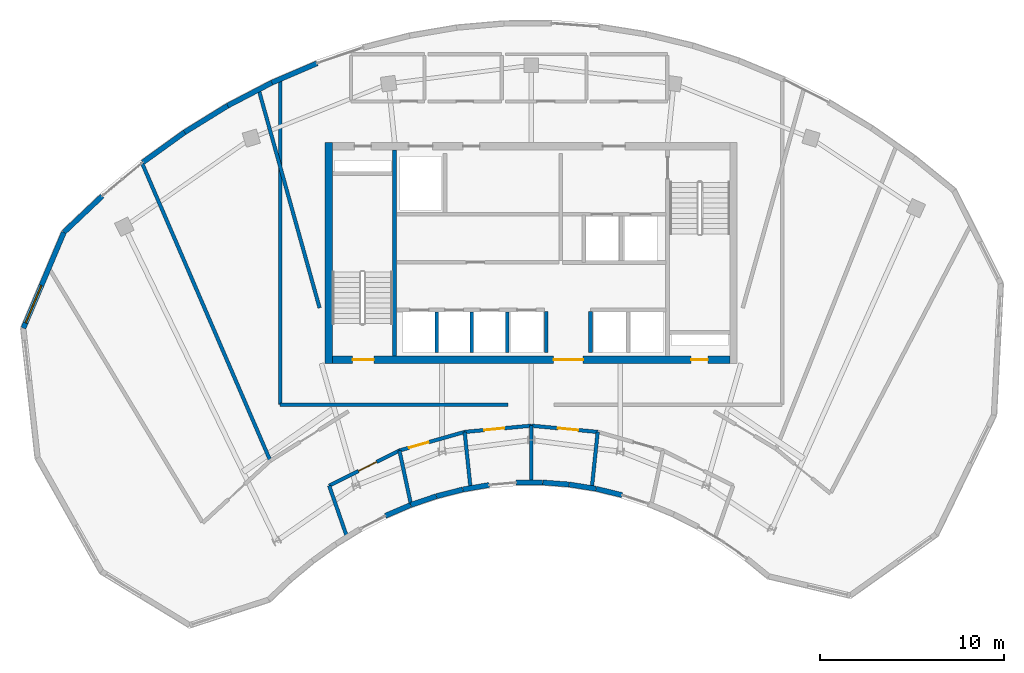
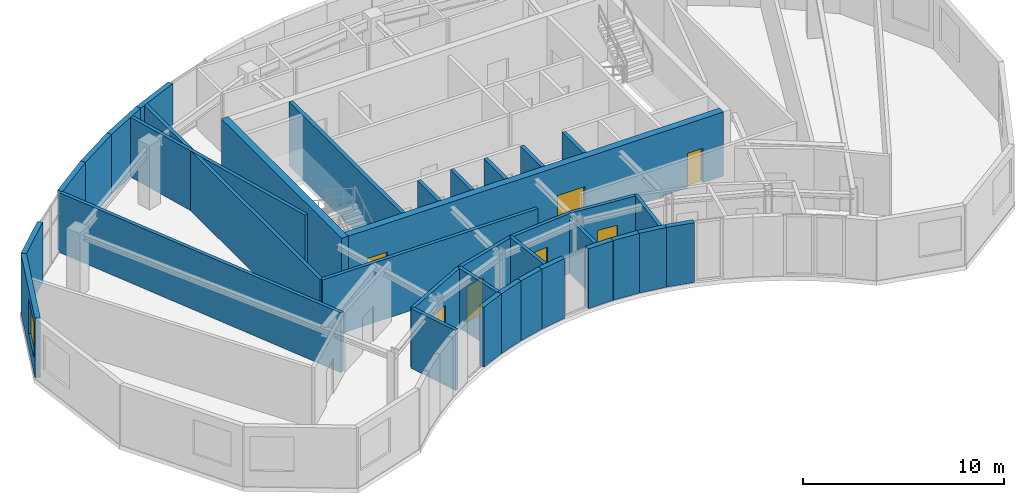
# One storey, part 5 of 9: 35 walls, 7 doors, 1 window, 8 openings.
"""IFC4 building model written with IfcOpenShell, lengths in metres."""

from ifc_helpers import new_model, si_unit, direction, frame, frame_2d, origin, place, context, subcontext, project, spatial, rectangle, extrude, source, transform, mapped, material, layer, layer_set, type_object, type_shapes, element, fill, save


model = new_model("IFC4")

# Units and contexts
model_context = context("Model", 3, precision=1e-05, world=origin(), true_north=direction((0.0, 1.0)))
body_context = subcontext(model_context, "Body", "Model", "MODEL_VIEW")
ifc_project = project(units=[si_unit("LENGTHUNIT", "METRE"), si_unit("AREAUNIT", "SQUARE_METRE"), si_unit("VOLUMEUNIT", "CUBIC_METRE"), si_unit("PLANEANGLEUNIT", "RADIAN"), si_unit("MASSUNIT", "GRAM", prefix="KILO")], contexts=[model_context])

# Site, building, storey
site_placement = place(None, origin())
site = spatial("IfcSite", under=ifc_project, at=site_placement, CompositionType="ELEMENT")
building_placement = place(site_placement, origin())
building = spatial("IfcBuilding", under=site, at=building_placement, Name="Breltana Convention Tower", CompositionType="ELEMENT")
storey_placement = place(building_placement, frame((0.0, 0.0, 287.39990234375)))
storey = spatial("IfcBuildingStorey", under=building, at=storey_placement, Name="L70", CompositionType="ELEMENT", Elevation=287.39990234375)

# Wall
ifc_material_1 = material(Name="Concrete C50/60", Category="concrete")
ifc_layer_1 = layer(ifc_material_1, 0.39990234375, Name="Concrete C50/60")
ifc_layer_set_1 = layer_set([ifc_layer_1], Name="Concrete C50/60")
wall_type_1 = type_object("IfcWallType", Name="SW-CORE-400", PredefinedType="SHEAR", material=ifc_layer_set_1)
shared_shape_1 = source(origin(), body_context, "Body", "SweptSolid", [
    extrude(rectangle(XDim=12.0, YDim=0.39990234375, at=frame_2d((6.0, 0.0))), origin(), (0.0, 0.0, 1.0), 3.900146484375),
])
wall_1_placement = place(storey_placement, frame((37.0, 60.199951171875, 0.0), z_axis=(0.0, 0.0, 1.0), x_axis=(0.0, 1.0, 0.0)))
element("IfcWall", 1, at=wall_1_placement, inside=storey, type_object=wall_type_1, Name="L70 West Core Shear Wall", PredefinedType="SHEAR", context=body_context, shape_type="MappedRepresentation", body=[
    mapped(shared_shape_1, transform((0.0, 0.0, 0.0), scale=1.0)),
])

# Wall, openings, doors
shared_shape_2 = source(origin(), body_context, "Body", "SweptSolid", [
    extrude(rectangle(XDim=21.60009765625, YDim=0.39990234375, at=frame_2d((10.800048828125, 0.0))), origin(), (0.0, 0.0, 1.0), 3.900146484375),
])
wall_2_placement = place(storey_placement, frame((37.199951171875, 60.39990234375, 0.0), z_axis=(0.0, 0.0, 1.0), x_axis=(1.0, 0.0, 0.0)))
wall_2 = element("IfcWall", 2, at=wall_2_placement, inside=storey, type_object=wall_type_1, Name="L70 South Core Shear Wall", PredefinedType="SHEAR", context=body_context, shape_type="MappedRepresentation", body=[
    mapped(shared_shape_2, transform((0.0, 0.0, 0.0), scale=1.0)),
])
opening_1_placement = place(wall_2_placement, frame((1.10009765625, 0.0, 0.0)))
opening_1 = element("IfcOpeningElement", 3, at=opening_1_placement, cuts=wall_2, Name="Opening D-11", PredefinedType="OPENING", context=body_context, shape_type="SweptSolid", body=[
    extrude(rectangle(XDim=1.14990234375, YDim=2.14990234375, at=frame_2d((0.574951171875, 1.074951171875))), frame((0.0, 0.2099609375, 0.0), z_axis=(0.0, -1.0, 0.0), x_axis=(1.0, 0.0, 0.0)), (0.0, 0.0, 1.0), 0.419921875),
])
opening_2_placement = place(wall_2_placement, frame((19.5, 0.0, 0.0)))
opening_2 = element("IfcOpeningElement", 4, at=opening_2_placement, cuts=wall_2, Name="Opening D-18", PredefinedType="OPENING", context=body_context, shape_type="SweptSolid", body=[
    extrude(rectangle(XDim=0.89990234375, YDim=2.10009765625, at=frame_2d((0.449951171875, 1.050048828125))), frame((0.0, 0.2099609375, 0.0), z_axis=(0.0, -1.0, 0.0), x_axis=(1.0, 0.0, 0.0)), (0.0, 0.0, 1.0), 0.419921875),
])
opening_3_placement = place(wall_2_placement, frame((12.02001953125, 0.0, 0.0)))
opening_3 = element("IfcOpeningElement", 5, at=opening_3_placement, cuts=wall_2, Name="Opening D-02", PredefinedType="OPENING", context=body_context, shape_type="SweptSolid", body=[
    extrude(rectangle(XDim=1.60009765625, YDim=2.14990234375, at=frame_2d((0.800048828125, 1.074951171875))), frame((0.0, 0.2099609375, 0.0), z_axis=(0.0, -1.0, 0.0), x_axis=(1.0, 0.0, 0.0)), (0.0, 0.0, 1.0), 0.419921875),
])
ifc_material_2 = material(Name="Steel Stair Exit Door", Category="steel")
door_type_1 = type_object("IfcDoorType", Name="DR-FD120-1150", OperationType="NOTDEFINED", PredefinedType="DOOR", material=ifc_material_2)
shared_shape_3 = source(origin(), body_context, "Body", "SweptSolid", [
    extrude(rectangle(XDim=1.14990234375, YDim=2.14990234375, at=frame_2d((0.574951171875, 1.074951171875))), frame((0.0, 0.02490234375, 0.0), z_axis=(0.0, -1.0, 0.0), x_axis=(1.0, 0.0, 0.0)), (0.0, 0.0, 1.0), 0.050048828125),
])
type_shapes(door_type_1, [shared_shape_3])
door_1_placement = place(opening_1_placement, origin())
door_1 = element("IfcDoor", 6, at=door_1_placement, inside=storey, type_object=door_type_1, Name="L70 interior door D-L70-ST1", OperationType="SINGLE_SWING_LEFT", OverallHeight=2.14990234375, OverallWidth=1.14990234375, PredefinedType="DOOR", context=body_context, shape_type="MappedRepresentation", body=[
    mapped(shared_shape_3, transform((0.0, 0.0, 0.0), scale=1.0)),
])
fill(opening_1, door_1)
ifc_material_3 = material(Name="Steel Riser Fire Door", Category="steel")
door_type_2 = type_object("IfcDoorType", Name="DR-FD60-900", OperationType="NOTDEFINED", PredefinedType="DOOR", material=ifc_material_3)
shared_shape_4 = source(origin(), body_context, "Body", "SweptSolid", [
    extrude(rectangle(XDim=0.89990234375, YDim=2.10009765625, at=frame_2d((0.449951171875, 1.050048828125))), frame((0.0, 0.02490234375, 0.0), z_axis=(0.0, -1.0, 0.0), x_axis=(1.0, 0.0, 0.0)), (0.0, 0.0, 1.0), 0.050048828125),
])
type_shapes(door_type_2, [shared_shape_4])
door_2_placement = place(opening_2_placement, origin())
door_2 = element("IfcDoor", 7, at=door_2_placement, inside=storey, type_object=door_type_2, Name="L70 Core Riser Access Door D-L70-RS2", OperationType="SINGLE_SWING_RIGHT", OverallHeight=2.10009765625, OverallWidth=0.89990234375, PredefinedType="DOOR", context=body_context, shape_type="MappedRepresentation", body=[
    mapped(shared_shape_4, transform((0.0, 0.0, 0.0), scale=1.0)),
])
fill(opening_2, door_2)
ifc_material_4 = material(Name="Steel Glazed Smoke-Control Door", Category="steel")
door_type_3 = type_object("IfcDoorType", Name="DR-DBL-FD90-1600", OperationType="DOUBLE_DOOR_SINGLE_SWING", PredefinedType="DOOR", material=ifc_material_4)
shared_shape_5 = source(origin(), body_context, "Body", "SweptSolid", [
    extrude(rectangle(XDim=1.60009765625, YDim=2.14990234375, at=frame_2d((0.800048828125, 1.074951171875))), frame((0.0, 0.02490234375, 0.0), z_axis=(0.0, -1.0, 0.0), x_axis=(1.0, 0.0, 0.0)), (0.0, 0.0, 1.0), 0.050048828125),
])
type_shapes(door_type_3, [shared_shape_5])
door_3_placement = place(opening_3_placement, origin())
door_3 = element("IfcDoor", 8, at=door_3_placement, inside=storey, type_object=door_type_3, Name="L70 interior door D-L70-LLB-S", OperationType="DOUBLE_DOOR_SINGLE_SWING", OverallHeight=2.14990234375, OverallWidth=1.60009765625, PredefinedType="DOOR", context=body_context, shape_type="MappedRepresentation", body=[
    mapped(shared_shape_5, transform((0.0, 0.0, 0.0), scale=1.0)),
])
fill(opening_3, door_3)

# Walls
shared_shape_6 = source(origin(), body_context, "Body", "SweptSolid", [
    extrude(rectangle(XDim=11.199951171875, YDim=0.219970703125, at=frame_2d((5.60009765625, 0.0))), origin(), (0.0, 0.0, 1.0), 3.900146484375),
])
wall_3_placement = place(storey_placement, frame((40.580078125, 60.60009765625, 0.0), z_axis=(0.0, 0.0, 1.0), x_axis=(0.0, 1.0, 0.0)))
element("IfcWall", 9, at=wall_3_placement, inside=storey, type_object=wall_type_1, Name="L70 Core West Stair Spine Wall", PredefinedType="SHEAR", context=body_context, shape_type="MappedRepresentation", body=[
    mapped(shared_shape_6, transform((0.0, 0.0, 0.0), scale=1.0)),
])
ifc_material_5 = material(Name="Limestone Buff Insulated Wall", Category="masonry")
ifc_layer_2 = layer(ifc_material_5, 0.280029296875, Name="Limestone Buff Insulated Wall")
ifc_layer_set_2 = layer_set([ifc_layer_2], Name="Limestone Buff Insulated Wall")
wall_type_2 = type_object("IfcWallType", Name="WL-EXT-NOSE-280", PredefinedType="SOLIDWALL", material=ifc_layer_set_2)
shared_shape_7 = source(origin(), body_context, "Body", "SweptSolid", [
    extrude(rectangle(XDim=1.446044921875, YDim=0.280029296875, at=frame_2d((0.72314453125, 0.0))), origin(), (0.0, 0.0, 1.0), 3.64013671875),
])
wall_4_placement = place(storey_placement, frame((51.509033203125, 53.38818359375, 0.0), z_axis=(0.0, 0.0, 1.0), x_axis=(-0.987650460941, 0.156673440642, 0.0)))
element("IfcWall", 10, at=wall_4_placement, inside=storey, type_object=wall_type_2, Name="L70 curved limestone nose wall E10", PredefinedType="SOLIDWALL", context=body_context, shape_type="MappedRepresentation", body=[
    mapped(shared_shape_7, transform((0.0, 0.0, 0.0), scale=1.0)),
])
shared_shape_8 = source(origin(), body_context, "Body", "SweptSolid", [
    extrude(rectangle(XDim=1.440185546875, YDim=0.280029296875, at=frame_2d((0.72021484375, 0.0))), origin(), (0.0, 0.0, 1.0), 3.64013671875),
])
wall_5_placement = place(storey_placement, frame((50.066162109375, 53.616455078125, 0.0), z_axis=(0.0, 0.0, 1.0), x_axis=(-0.997124860794, 0.075776064736, 0.0)))
element("IfcWall", 11, at=wall_5_placement, inside=storey, type_object=wall_type_2, Name="L70 curved limestone nose wall E11", PredefinedType="SOLIDWALL", context=body_context, shape_type="MappedRepresentation", body=[
    mapped(shared_shape_8, transform((0.0, 0.0, 0.0), scale=1.0)),
])
shared_shape_9 = source(origin(), body_context, "Body", "SweptSolid", [
    extrude(rectangle(XDim=1.4384765625, YDim=0.280029296875, at=frame_2d((0.71923828125, 0.0))), origin(), (0.0, 0.0, 1.0), 3.64013671875),
])
wall_6_placement = place(storey_placement, frame((48.615478515625, 53.726318359375, 0.0), z_axis=(0.0, 0.0, 1.0), x_axis=(-0.999982357135, -0.005940153174, 0.0)))
element("IfcWall", 12, at=wall_6_placement, inside=storey, type_object=wall_type_2, Name="L70 curved limestone nose wall E12", PredefinedType="SOLIDWALL", context=body_context, shape_type="MappedRepresentation", body=[
    mapped(shared_shape_9, transform((0.0, 0.0, 0.0), scale=1.0)),
])
shared_shape_10 = source(origin(), body_context, "Body", "SweptSolid", [
    extrude(rectangle(XDim=1.4580078125, YDim=0.280029296875, at=frame_2d((0.72900390625, 0.0))), origin(), (0.0, 0.0, 1.0), 3.64013671875),
])
wall_7_placement = place(storey_placement, frame((44.271484375, 53.343017578125, 0.0), z_axis=(0.0, 0.0, 1.0), x_axis=(-0.969109544438, -0.246630677083, 0.0)))
element("IfcWall", 13, at=wall_7_placement, inside=storey, type_object=wall_type_2, Name="L70 curved limestone nose wall E14", PredefinedType="SOLIDWALL", context=body_context, shape_type="MappedRepresentation", body=[
    mapped(shared_shape_10, transform((0.0, 0.0, 0.0), scale=1.0)),
])
shared_shape_11 = source(origin(), body_context, "Body", "SweptSolid", [
    extrude(rectangle(XDim=1.47265625, YDim=0.280029296875, at=frame_2d((0.736328125, 0.0))), origin(), (0.0, 0.0, 1.0), 3.64013671875),
])
wall_8_placement = place(storey_placement, frame((42.8447265625, 52.9794921875, 0.0), z_axis=(0.0, 0.0, 1.0), x_axis=(-0.946641296917, -0.322289086026, 0.0)))
element("IfcWall", 14, at=wall_8_placement, inside=storey, type_object=wall_type_2, Name="L70 curved limestone nose wall E15", PredefinedType="SOLIDWALL", context=body_context, shape_type="MappedRepresentation", body=[
    mapped(shared_shape_11, transform((0.0, 0.0, 0.0), scale=1.0)),
])
shared_shape_12 = source(origin(), body_context, "Body", "SweptSolid", [
    extrude(rectangle(XDim=1.490478515625, YDim=0.280029296875, at=frame_2d((0.7451171875, 0.0))), origin(), (0.0, 0.0, 1.0), 3.64013671875),
])
wall_9_placement = place(storey_placement, frame((41.437744140625, 52.5, 0.0), z_axis=(0.0, 0.0, 1.0), x_axis=(-0.919009427656, -0.394235553799, 0.0)))
element("IfcWall", 15, at=wall_9_placement, inside=storey, type_object=wall_type_2, Name="L70 curved limestone nose wall E16", PredefinedType="SOLIDWALL", context=body_context, shape_type="MappedRepresentation", body=[
    mapped(shared_shape_12, transform((0.0, 0.0, 0.0), scale=1.0)),
])

# Wall, opening, window
shared_shape_13 = source(origin(), body_context, "Body", "SweptSolid", [
    extrude(rectangle(XDim=5.655029296875, YDim=0.280029296875, at=frame_2d((2.82763671875, 0.0))), origin(), (0.0, 0.0, 1.0), 3.64013671875),
])
wall_10_placement = place(storey_placement, frame((20.40087890625, 62.11572265625, 0.0), z_axis=(0.0, 0.0, 1.0), x_axis=(0.389585063528, 0.920990487614, 0.0)))
wall_10 = element("IfcWall", 16, at=wall_10_placement, inside=storey, type_object=wall_type_2, Name="L70 curved limestone nose wall W6", PredefinedType="SOLIDWALL", context=body_context, shape_type="MappedRepresentation", body=[
    mapped(shared_shape_13, transform((0.0, 0.0, 0.0), scale=1.0)),
])
opening_4_placement = place(wall_10_placement, frame((0.313720703125, 0.0, 0.949951171875)))
opening_4 = element("IfcOpeningElement", 17, at=opening_4_placement, cuts=wall_10, Name="Opening W-03", PredefinedType="OPENING", context=body_context, shape_type="SweptSolid", body=[
    extrude(rectangle(XDim=2.199951171875, YDim=2.10009765625, at=frame_2d((1.10009765625, 1.050048828125))), frame((0.0, 0.14990234375, 0.0), z_axis=(0.0, -1.0, 0.0), x_axis=(1.0, 0.0, 0.0)), (0.0, 0.0, 1.0), 0.300048828125),
])
ifc_material_6 = material(Name="Glass Low-E Insulated Window", Category="glass")
window_type = type_object("IfcWindowType", Name="WN-NOSE-2200X2100", PartitioningType="TRIPLE_PANEL_VERTICAL", PredefinedType="WINDOW", material=ifc_material_6)
shared_shape_14 = source(origin(), body_context, "Body", "SweptSolid", [
    extrude(rectangle(XDim=2.199951171875, YDim=2.10009765625, at=frame_2d((1.10009765625, 1.050048828125))), frame((0.0, 0.030029296875, 0.0), z_axis=(0.0, -1.0, 0.0), x_axis=(1.0, 0.0, 0.0)), (0.0, 0.0, 1.0), 0.06005859375),
])
type_shapes(window_type, [shared_shape_14])
window_placement = place(opening_4_placement, origin())
window = element("IfcWindow", 18, at=window_placement, inside=storey, type_object=window_type, Name="L70 nose window W6", OverallHeight=2.10009765625, OverallWidth=2.199951171875, PartitioningType="TRIPLE_PANEL_VERTICAL", PredefinedType="WINDOW", context=body_context, shape_type="MappedRepresentation", body=[
    mapped(shared_shape_14, transform((0.0, 0.0, 0.0), scale=1.0)),
])
fill(opening_4, window)

# Walls
shared_shape_15 = source(origin(), body_context, "Body", "SweptSolid", [
    extrude(rectangle(XDim=2.87255859375, YDim=0.280029296875, at=frame_2d((1.436279296875, 0.0))), origin(), (0.0, 0.0, 1.0), 3.64013671875),
])
wall_11_placement = place(storey_placement, frame((22.60400390625, 67.323974609375, 0.0), z_axis=(0.0, 0.0, 1.0), x_axis=(0.72609560544, 0.687593754888, 0.0)))
element("IfcWall", 19, at=wall_11_placement, inside=storey, type_object=wall_type_2, Name="L70 curved limestone nose wall W7", PredefinedType="SOLIDWALL", context=body_context, shape_type="MappedRepresentation", body=[
    mapped(shared_shape_15, transform((0.0, 0.0, 0.0), scale=1.0)),
])
shared_shape_16 = source(origin(), body_context, "Body", "SweptSolid", [
    extrude(rectangle(XDim=2.8017578125, YDim=0.280029296875, at=frame_2d((1.40087890625, 0.0))), origin(), (0.0, 0.0, 1.0), 3.64013671875),
])
wall_12_placement = place(storey_placement, frame((26.88525390625, 71.11962890625, 0.0), z_axis=(0.0, 0.0, 1.0), x_axis=(0.811507896482, 0.584341453217, 0.0)))
element("IfcWall", 20, at=wall_12_placement, inside=storey, type_object=wall_type_2, Name="L70 curved limestone nose wall E20", PredefinedType="SOLIDWALL", context=body_context, shape_type="MappedRepresentation", body=[
    mapped(shared_shape_16, transform((0.0, 0.0, 0.0), scale=1.0)),
])
shared_shape_17 = source(origin(), body_context, "Body", "SweptSolid", [
    extrude(rectangle(XDim=2.754638671875, YDim=0.280029296875, at=frame_2d((1.37744140625, 0.0))), origin(), (0.0, 0.0, 1.0), 3.64013671875),
])
wall_13_placement = place(storey_placement, frame((29.158935546875, 72.7568359375, 0.0), z_axis=(0.0, 0.0, 1.0), x_axis=(0.850750210743, 0.525570241661, 0.0)))
element("IfcWall", 21, at=wall_13_placement, inside=storey, type_object=wall_type_2, Name="L70 curved limestone nose wall E21", PredefinedType="SOLIDWALL", context=body_context, shape_type="MappedRepresentation", body=[
    mapped(shared_shape_17, transform((0.0, 0.0, 0.0), scale=1.0)),
])
shared_shape_18 = source(origin(), body_context, "Body", "SweptSolid", [
    extrude(rectangle(XDim=2.71142578125, YDim=0.280029296875, at=frame_2d((1.355712890625, 0.0))), origin(), (0.0, 0.0, 1.0), 3.64013671875),
])
wall_14_placement = place(storey_placement, frame((31.50244140625, 74.20458984375, 0.0), z_axis=(0.0, 0.0, 1.0), x_axis=(0.886828760751, 0.462098202881, 0.0)))
element("IfcWall", 22, at=wall_14_placement, inside=storey, type_object=wall_type_2, Name="L70 curved limestone nose wall E22", PredefinedType="SOLIDWALL", context=body_context, shape_type="MappedRepresentation", body=[
    mapped(shared_shape_18, transform((0.0, 0.0, 0.0), scale=1.0)),
])
shared_shape_19 = source(origin(), body_context, "Body", "SweptSolid", [
    extrude(rectangle(XDim=1.45654296875, YDim=0.280029296875, at=frame_2d((0.728271484375, 0.0))), origin(), (0.0, 0.0, 1.0), 3.64013671875),
])
wall_15_placement = place(storey_placement, frame((52.938720703125, 53.042236328125, 0.0), z_axis=(0.0, 0.0, 1.0), x_axis=(-0.97187219902, 0.23550887196, 0.0)))
element("IfcWall", 23, at=wall_15_placement, inside=storey, type_object=wall_type_2, Name="L70 curved limestone nose wall E9", PredefinedType="SOLIDWALL", context=body_context, shape_type="MappedRepresentation", body=[
    mapped(shared_shape_19, transform((0.0, 0.0, 0.0), scale=1.0)),
])
shared_shape_20 = source(origin(), body_context, "Body", "SweptSolid", [
    extrude(rectangle(XDim=1.447265625, YDim=0.280029296875, at=frame_2d((0.7236328125, 0.0))), origin(), (0.0, 0.0, 1.0), 3.64013671875),
])
wall_16_placement = place(storey_placement, frame((45.712646484375, 53.589111328125, 0.0), z_axis=(0.0, 0.0, 1.0), x_axis=(-0.985785525921, -0.168008621461, 0.0)))
element("IfcWall", 24, at=wall_16_placement, inside=storey, type_object=wall_type_2, Name="L70 curved limestone nose wall E13", PredefinedType="SOLIDWALL", context=body_context, shape_type="MappedRepresentation", body=[
    mapped(shared_shape_20, transform((0.0, 0.0, 0.0), scale=1.0)),
])
shared_shape_21 = source(origin(), body_context, "Body", "SweptSolid", [
    extrude(rectangle(XDim=2.67333984375, YDim=0.280029296875, at=frame_2d((1.336669921875, 0.0))), origin(), (0.0, 0.0, 1.0), 3.64013671875),
])
wall_17_placement = place(storey_placement, frame((33.906982421875, 75.45751953125, 0.0), z_axis=(0.0, 0.0, 1.0), x_axis=(0.919036345912, 0.394172798266, 0.0)))
element("IfcWall", 25, at=wall_17_placement, inside=storey, type_object=wall_type_2, Name="L70 curved limestone nose wall E23", PredefinedType="SOLIDWALL", context=body_context, shape_type="MappedRepresentation", body=[
    mapped(shared_shape_21, transform((0.0, 0.0, 0.0), scale=1.0)),
])
ifc_material_7 = material(Name="Autoclaved Aerated Concrete Block", Category="concrete")
ifc_layer_3 = layer(ifc_material_7, 0.199951171875, Name="Autoclaved Aerated Concrete Block")
ifc_layer_set_3 = layer_set([ifc_layer_3], Name="Autoclaved Aerated Concrete Block")
wall_type_3 = type_object("IfcWallType", Name="WL-SHAFT-200", PredefinedType="SOLIDWALL", material=ifc_layer_set_3)
shared_shape_22 = source(origin(), body_context, "Body", "SweptSolid", [
    extrude(rectangle(XDim=2.239990234375, YDim=0.199951171875, at=frame_2d((1.1201171875, 0.0))), origin(), (0.0, 0.0, 1.0), 3.64013671875),
])
for number, where, z_axis, x_axis, name in (
    (26, (48.820068359375, 60.780029296875, 0.0), (0.0, 0.0, 1.0), (0.0, 1.0, 0.0), "L70 interior partition W-L70-PORT-W"),
    (27, (51.219970703125, 60.780029296875, 0.0), (0.0, 0.0, 1.0), (0.0, 1.0, 0.0), "L70 interior partition W-L70-PORT-E"),
):
    element("IfcWall", number, at=place(storey_placement, frame(where, z_axis=z_axis, x_axis=x_axis)), inside=storey, type_object=wall_type_3, Name=name, PredefinedType="SOLIDWALL", context=body_context, shape_type="MappedRepresentation", body=[
        mapped(shared_shape_22, transform((0.0, 0.0, 0.0), scale=1.0)),
    ])
shared_shape_23 = source(origin(), body_context, "Body", "SweptSolid", [
    extrude(rectangle(XDim=2.199951171875, YDim=0.199951171875, at=frame_2d((1.10009765625, 0.0))), origin(), (0.0, 0.0, 1.0), 3.64013671875),
])
for number, where, z_axis, x_axis, name in (
    (28, (42.8701171875, 60.800048828125, 0.0), (0.0, 0.0, 1.0), (0.0, 1.0, 0.0), "L70 interior partition W-L70-SH-S-DIV1"),
    (29, (44.77001953125, 60.800048828125, 0.0), (0.0, 0.0, 1.0), (0.0, 1.0, 0.0), "L70 interior partition W-L70-SH-S-DIV2"),
    (30, (46.699951171875, 60.800048828125, 0.0), (0.0, 0.0, 1.0), (0.0, 1.0, 0.0), "L70 interior partition W-L70-SH-S-DIV3"),
):
    element("IfcWall", number, at=place(storey_placement, frame(where, z_axis=z_axis, x_axis=x_axis)), inside=storey, type_object=wall_type_3, Name=name, PredefinedType="SOLIDWALL", context=body_context, shape_type="MappedRepresentation", body=[
        mapped(shared_shape_23, transform((0.0, 0.0, 0.0), scale=1.0)),
    ])
ifc_material_8 = material(Name="Gypsum Acoustic Hotel Wall")
ifc_layer_4 = layer(ifc_material_8, 0.195068359375, Name="Gypsum Acoustic Hotel Wall")
ifc_layer_set_4 = layer_set([ifc_layer_4], Name="Gypsum Acoustic Hotel Wall")
wall_type_4 = type_object("IfcWallType", Name="WL-HOTEL-200", PredefinedType="PARTITIONING", material=ifc_layer_set_4)
shared_shape_24 = source(origin(), body_context, "Body", "SweptSolid", [
    extrude(rectangle(XDim=12.389892578125, YDim=0.195068359375, at=frame_2d((6.19482421875, 0.0))), origin(), (0.0, 0.0, 1.0), 3.64013671875),
])
wall_18_placement = place(storey_placement, frame((34.360107421875, 57.9599609375, 0.0), z_axis=(0.0, 0.0, 1.0), x_axis=(1.0, 0.0, 0.0)))
element("IfcWall", 31, at=wall_18_placement, inside=storey, type_object=wall_type_4, Name="L70 interior partition W-L70-Z45-CSW", PredefinedType="PARTITIONING", context=body_context, shape_type="MappedRepresentation", body=[
    mapped(shared_shape_24, transform((0.0, 0.0, 0.0), scale=1.0)),
])

# Wall, opening, door
shared_shape_25 = source(origin(), body_context, "Body", "SweptSolid", [
    extrude(rectangle(XDim=4.270751953125, YDim=0.195068359375, at=frame_2d((2.13525390625, 0.0))), origin(), (0.0, 0.0, 1.0), 3.64013671875),
])
wall_19_placement = place(storey_placement, frame((37.0205078125, 53.551513671875, 0.0), z_axis=(0.0, 0.0, 1.0), x_axis=(0.894061035522, 0.447945158207, 0.0)))
wall_19 = element("IfcWall", 32, at=wall_19_placement, inside=storey, type_object=wall_type_4, Name="L70 interior partition W-L70-ES1-COR", PredefinedType="PARTITIONING", context=body_context, shape_type="MappedRepresentation", body=[
    mapped(shared_shape_25, transform((0.0, 0.0, 0.0), scale=1.0)),
])
opening_5_placement = place(wall_19_placement, frame((1.785400390625, 0.0, 0.0)))
opening_5 = element("IfcOpeningElement", 33, at=opening_5_placement, cuts=wall_19, Name="Opening D-12", PredefinedType="OPENING", context=body_context, shape_type="SweptSolid", body=[
    extrude(rectangle(XDim=1.10009765625, YDim=2.14990234375, at=frame_2d((0.550048828125, 1.074951171875))), frame((0.0, 0.107421875, 0.0), z_axis=(0.0, -1.0, 0.0), x_axis=(1.0, 0.0, 0.0)), (0.0, 0.0, 1.0), 0.215087890625),
])
ifc_material_9 = material(Name="Timber Oak Acoustic Door", Category="wood")
door_type_4 = type_object("IfcDoorType", Name="DR-INT-1100", OperationType="NOTDEFINED", PredefinedType="DOOR", material=ifc_material_9)
shared_shape_26 = source(origin(), body_context, "Body", "SweptSolid", [
    extrude(rectangle(XDim=1.10009765625, YDim=2.14990234375, at=frame_2d((0.550048828125, 1.074951171875))), frame((0.0, 0.02490234375, 0.0), z_axis=(0.0, -1.0, 0.0), x_axis=(1.0, 0.0, 0.0)), (0.0, 0.0, 1.0), 0.050048828125),
])
type_shapes(door_type_4, [shared_shape_26])
door_4_placement = place(opening_5_placement, origin())
door_4 = element("IfcDoor", 34, at=door_4_placement, inside=storey, type_object=door_type_4, Name="L70 interior door D-L70-ES1", OperationType="SINGLE_SWING_RIGHT", OverallHeight=2.14990234375, OverallWidth=1.10009765625, PredefinedType="DOOR", context=body_context, shape_type="MappedRepresentation", body=[
    mapped(shared_shape_26, transform((0.0, 0.0, 0.0), scale=1.0)),
])
fill(opening_5, door_4)

# Walls
shared_shape_27 = source(origin(), body_context, "Body", "SweptSolid", [
    extrude(rectangle(XDim=2.94384765625, YDim=0.195068359375, at=frame_2d((1.471923828125, 0.0))), origin(), (0.0, 0.0, 1.0), 3.64013671875),
])
wall_20_placement = place(storey_placement, frame((37.98779296875, 50.77099609375, 0.0), z_axis=(0.0, 0.0, 1.0), x_axis=(-0.328565655286, 0.944481132774, 0.0)))
element("IfcWall", 35, at=wall_20_placement, inside=storey, type_object=wall_type_4, Name="L70 interior partition W-L70-ES1-RA", PredefinedType="PARTITIONING", context=body_context, shape_type="MappedRepresentation", body=[
    mapped(shared_shape_27, transform((0.0, 0.0, 0.0), scale=1.0)),
])
shared_shape_28 = source(origin(), body_context, "Body", "SweptSolid", [
    extrude(rectangle(XDim=3.009765625, YDim=0.195068359375, at=frame_2d((1.5048828125, 0.0))), origin(), (0.0, 0.0, 1.0), 3.64013671875),
])
wall_21_placement = place(storey_placement, frame((41.46875, 52.521484375, 0.0), z_axis=(0.0, 0.0, 1.0), x_axis=(-0.209279797988, 0.977855800287, 0.0)))
element("IfcWall", 36, at=wall_21_placement, inside=storey, type_object=wall_type_4, Name="L70 interior partition W-L70-ES1-RB", PredefinedType="PARTITIONING", context=body_context, shape_type="MappedRepresentation", body=[
    mapped(shared_shape_28, transform((0.0, 0.0, 0.0), scale=1.0)),
])

# Wall, opening, door
shared_shape_29 = source(origin(), body_context, "Body", "SweptSolid", [
    extrude(rectangle(XDim=3.6865234375, YDim=0.195068359375, at=frame_2d((1.84326171875, 0.0))), origin(), (0.0, 0.0, 1.0), 3.64013671875),
])
wall_22_placement = place(storey_placement, frame((40.8388671875, 55.464599609375, 0.0), z_axis=(0.0, 0.0, 1.0), x_axis=(0.961753532248, 0.27391630694, 0.0)))
wall_22 = element("IfcWall", 37, at=wall_22_placement, inside=storey, type_object=wall_type_4, Name="L70 interior partition W-L70-ES2-COR", PredefinedType="PARTITIONING", context=body_context, shape_type="MappedRepresentation", body=[
    mapped(shared_shape_29, transform((0.0, 0.0, 0.0), scale=1.0)),
])
opening_6_placement = place(wall_22_placement, frame((0.543212890625, 0.0, 0.0)))
opening_6 = element("IfcOpeningElement", 38, at=opening_6_placement, cuts=wall_22, Name="Opening D-12", PredefinedType="OPENING", context=body_context, shape_type="SweptSolid", body=[
    extrude(rectangle(XDim=1.10009765625, YDim=2.14990234375, at=frame_2d((0.550048828125, 1.074951171875))), frame((0.0, 0.107421875, 0.0), z_axis=(0.0, -1.0, 0.0), x_axis=(1.0, 0.0, 0.0)), (0.0, 0.0, 1.0), 0.215087890625),
])
door_5_placement = place(opening_6_placement, origin())
door_5 = element("IfcDoor", 39, at=door_5_placement, inside=storey, type_object=door_type_4, Name="L70 interior door D-L70-ES2", OperationType="SINGLE_SWING_LEFT", OverallHeight=2.14990234375, OverallWidth=1.10009765625, PredefinedType="DOOR", context=body_context, shape_type="MappedRepresentation", body=[
    mapped(shared_shape_26, transform((0.0, 0.0, 0.0), scale=1.0)),
])
fill(opening_6, door_5)

# Wall
shared_shape_30 = source(origin(), body_context, "Body", "SweptSolid", [
    extrude(rectangle(XDim=3.0634765625, YDim=0.195068359375, at=frame_2d((1.53173828125, 0.0))), origin(), (0.0, 0.0, 1.0), 3.64013671875),
])
wall_23_placement = place(storey_placement, frame((44.703857421875, 53.427490234375, 0.0), z_axis=(0.0, 0.0, 1.0), x_axis=(-0.104315578516, 0.994544247421, 0.0)))
element("IfcWall", 40, at=wall_23_placement, inside=storey, type_object=wall_type_4, Name="L70 interior partition W-L70-ES2-RB", PredefinedType="PARTITIONING", context=body_context, shape_type="MappedRepresentation", body=[
    mapped(shared_shape_30, transform((0.0, 0.0, 0.0), scale=1.0)),
])

# Wall, opening, door
shared_shape_31 = source(origin(), body_context, "Body", "SweptSolid", [
    extrude(rectangle(XDim=3.631591796875, YDim=0.195068359375, at=frame_2d((1.81591796875, 0.0))), origin(), (0.0, 0.0, 1.0), 3.64013671875),
])
wall_24_placement = place(storey_placement, frame((44.38427734375, 56.474365234375, 0.0), z_axis=(0.0, 0.0, 1.0), x_axis=(0.99563695898, 0.093311552942, 0.0)))
wall_24 = element("IfcWall", 41, at=wall_24_placement, inside=storey, type_object=wall_type_4, Name="L70 interior partition W-L70-ES3-COR", PredefinedType="PARTITIONING", context=body_context, shape_type="MappedRepresentation", body=[
    mapped(shared_shape_31, transform((0.0, 0.0, 0.0), scale=1.0)),
])
opening_7_placement = place(wall_24_placement, frame((1.06591796875, 0.0, 0.0)))
opening_7 = element("IfcOpeningElement", 42, at=opening_7_placement, cuts=wall_24, Name="Opening D-12", PredefinedType="OPENING", context=body_context, shape_type="SweptSolid", body=[
    extrude(rectangle(XDim=1.10009765625, YDim=2.14990234375, at=frame_2d((0.550048828125, 1.074951171875))), frame((0.0, 0.107421875, 0.0), z_axis=(0.0, -1.0, 0.0), x_axis=(1.0, 0.0, 0.0)), (0.0, 0.0, 1.0), 0.215087890625),
])
door_6_placement = place(opening_7_placement, origin())
door_6 = element("IfcDoor", 43, at=door_6_placement, inside=storey, type_object=door_type_4, Name="L70 interior door D-L70-ES3", OperationType="SINGLE_SWING_RIGHT", OverallHeight=2.14990234375, OverallWidth=1.10009765625, PredefinedType="DOOR", context=body_context, shape_type="MappedRepresentation", body=[
    mapped(shared_shape_26, transform((0.0, 0.0, 0.0), scale=1.0)),
])
fill(opening_7, door_6)

wall_25_placement = place(storey_placement, frame((48.0, 56.813232421875, 0.0), z_axis=(0.0, 0.0, 1.0), x_axis=(0.99563695898, -0.093311552942, 0.0)))
wall_25 = element("IfcWall", 44, at=wall_25_placement, inside=storey, type_object=wall_type_4, Name="L70 interior partition W-L70-ES4-COR", PredefinedType="PARTITIONING", context=body_context, shape_type="MappedRepresentation", body=[
    mapped(shared_shape_31, transform((0.0, 0.0, 0.0), scale=1.0)),
])
opening_8_placement = place(wall_25_placement, frame((1.4658203125, 0.0, 0.0)))
opening_8 = element("IfcOpeningElement", 45, at=opening_8_placement, cuts=wall_25, Name="Opening D-12", PredefinedType="OPENING", context=body_context, shape_type="SweptSolid", body=[
    extrude(rectangle(XDim=1.10009765625, YDim=2.14990234375, at=frame_2d((0.550048828125, 1.074951171875))), frame((0.0, 0.107421875, 0.0), z_axis=(0.0, -1.0, 0.0), x_axis=(1.0, 0.0, 0.0)), (0.0, 0.0, 1.0), 0.215087890625),
])
door_7_placement = place(opening_8_placement, origin())
door_7 = element("IfcDoor", 46, at=door_7_placement, inside=storey, type_object=door_type_4, Name="L70 interior door D-L70-ES4", OperationType="SINGLE_SWING_LEFT", OverallHeight=2.14990234375, OverallWidth=1.10009765625, PredefinedType="DOOR", context=body_context, shape_type="MappedRepresentation", body=[
    mapped(shared_shape_26, transform((0.0, 0.0, 0.0), scale=1.0)),
])
fill(opening_8, door_7)

# Walls
shared_shape_32 = source(origin(), body_context, "Body", "SweptSolid", [
    extrude(rectangle(XDim=3.08056640625, YDim=0.195068359375, at=frame_2d((1.540283203125, 0.0))), origin(), (0.0, 0.0, 1.0), 3.314208984375),
])
wall_26_placement = place(storey_placement, frame((48.0, 53.732666015625, 0.0), z_axis=(0.0, 0.0, 1.0), x_axis=(0.0, 1.0, 0.0)))
element("IfcWall", 47, at=wall_26_placement, inside=storey, type_object=wall_type_4, Name="L70 interior partition W-L70-ES3-RB", PredefinedType="PARTITIONING", context=body_context, shape_type="MappedRepresentation", body=[
    mapped(shared_shape_32, transform((0.0, 0.0, 0.0), scale=1.0)),
])
shared_shape_33 = source(origin(), body_context, "Body", "SweptSolid", [
    extrude(rectangle(XDim=3.05908203125, YDim=0.195068359375, at=frame_2d((1.529541015625, 0.0))), origin(), (0.0, 0.0, 1.0), 3.64013671875),
])
wall_27_placement = place(storey_placement, frame((51.296630859375, 53.431884765625, 0.0), z_axis=(0.0, 0.0, 1.0), x_axis=(0.10430673596, 0.994545174858, 0.0)))
element("IfcWall", 48, at=wall_27_placement, inside=storey, type_object=wall_type_4, Name="L70 interior partition W-L70-ES4-RB", PredefinedType="PARTITIONING", context=body_context, shape_type="MappedRepresentation", body=[
    mapped(shared_shape_33, transform((0.0, 0.0, 0.0), scale=1.0)),
])
shared_shape_34 = source(origin(), body_context, "Body", "SweptSolid", [
    extrude(rectangle(XDim=17.5556640625, YDim=0.195068359375, at=frame_2d((8.77783203125, 0.0))), origin(), (0.0, 0.0, 1.0), 3.64013671875),
])
wall_28_placement = place(storey_placement, frame((33.800048828125, 54.95751953125, 0.0), z_axis=(0.0, 0.0, 1.0), x_axis=(-0.395687598313, 0.918385172213, 0.0)))
element("IfcWall", 49, at=wall_28_placement, inside=storey, type_object=wall_type_4, Name="L70 interior partition W-L70-EXWR1-RB", PredefinedType="PARTITIONING", context=body_context, shape_type="MappedRepresentation", body=[
    mapped(shared_shape_34, transform((0.0, 0.0, 0.0), scale=1.0)),
])
shared_shape_35 = source(origin(), body_context, "Body", "SweptSolid", [
    extrude(rectangle(XDim=12.310546875, YDim=0.195068359375, at=frame_2d((6.1552734375, 0.0))), origin(), (0.0, 0.0, 1.0), 3.64013671875),
])
wall_29_placement = place(storey_placement, frame((36.5, 63.2158203125, 0.0), z_axis=(0.0, 0.0, 1.0), x_axis=(-0.268759602651, 0.963207286093, 0.0)))
element("IfcWall", 50, at=wall_29_placement, inside=storey, type_object=wall_type_4, Name="L70 interior partition W-L70-EXWR2-RB", PredefinedType="PARTITIONING", context=body_context, shape_type="MappedRepresentation", body=[
    mapped(shared_shape_35, transform((0.0, 0.0, 0.0), scale=1.0)),
])
shared_shape_36 = source(origin(), body_context, "Body", "SweptSolid", [
    extrude(rectangle(XDim=17.680908203125, YDim=0.195068359375, at=frame_2d((8.84033203125, 0.0))), origin(), (0.0, 0.0, 1.0), 3.64013671875),
])
wall_30_placement = place(storey_placement, frame((34.360107421875, 57.9599609375, 0.0), z_axis=(0.0, 0.0, 1.0), x_axis=(0.0, 1.0, 0.0)))
element("IfcWall", 51, at=wall_30_placement, inside=storey, type_object=wall_type_4, Name="L70 interior partition W-L70-EXWR-CL", PredefinedType="PARTITIONING", context=body_context, shape_type="MappedRepresentation", body=[
    mapped(shared_shape_36, transform((0.0, 0.0, 0.0), scale=1.0)),
])

save(model, "model.ifc")
